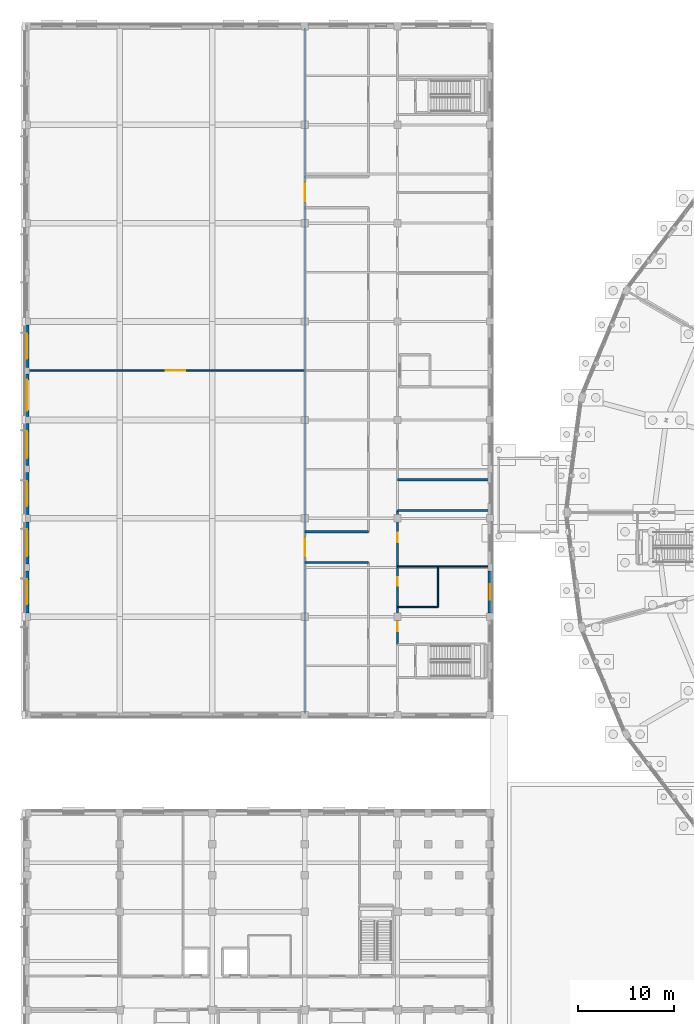
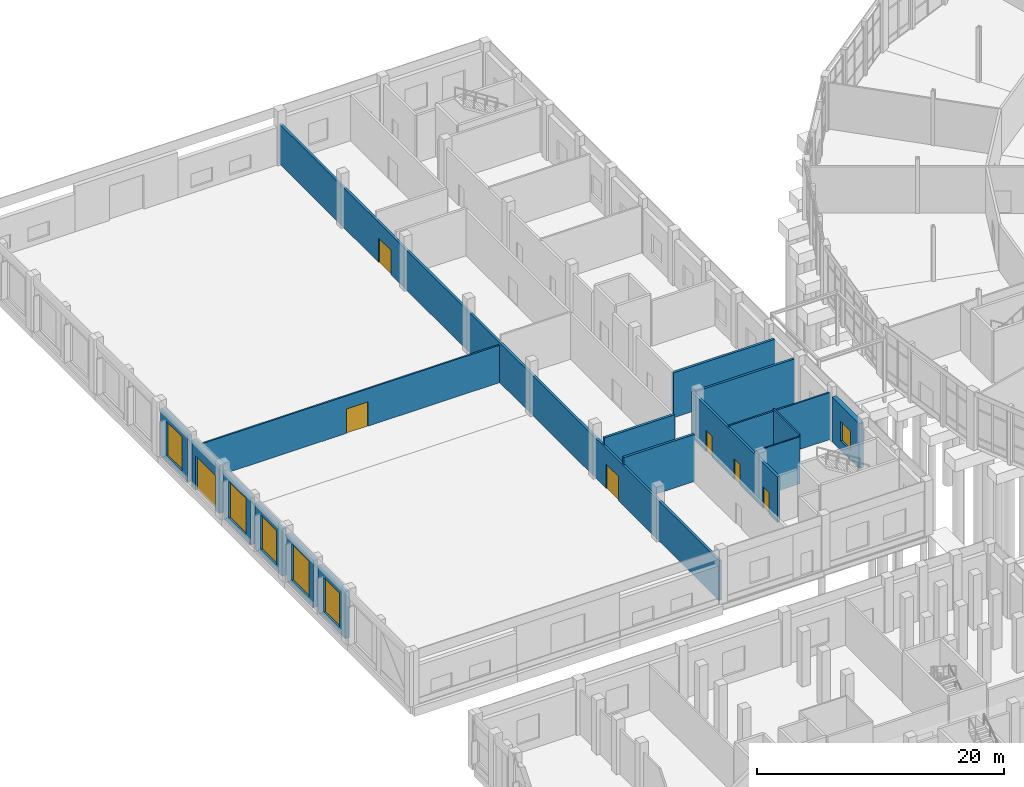
# One storey, part 105 of 137: 17 walls, 7 doors, 6 windows, 13 openings.
"""IFC4 building model written with IfcOpenShell, lengths in metres."""

from ifc_helpers import new_model, si_unit, direction, frame, frame_2d, origin, place, context, subcontext, project, spatial, rectangle, extrude, material, layer, layer_set, type_object, element, fill, save


model = new_model("IFC4")

# Units and contexts
model_context = context("Model", 3, precision=1e-05, world=origin(), true_north=direction((0.0, 1.0)))
body_context = subcontext(model_context, "Body", "Model", "MODEL_VIEW")
ifc_project = project(units=[si_unit("LENGTHUNIT", "METRE"), si_unit("AREAUNIT", "SQUARE_METRE"), si_unit("VOLUMEUNIT", "CUBIC_METRE"), si_unit("PLANEANGLEUNIT", "RADIAN"), si_unit("MASSUNIT", "GRAM", prefix="KILO")], contexts=[model_context])

# Site, building, storey
site_placement = place(None, origin())
site = spatial("IfcSite", under=ifc_project, at=site_placement, CompositionType="ELEMENT")
building_placement = place(site_placement, origin())
building = spatial("IfcBuilding", under=site, at=building_placement, Name="Vondelvale Polytechnic", CompositionType="ELEMENT")
storey_placement = place(building_placement, origin())
storey = spatial("IfcBuildingStorey", under=building, at=storey_placement, Name="L00", CompositionType="ELEMENT", Elevation=0.0)

# Wall, openings, doors
ifc_material_1 = material(Name="Fire-rated double-layer plasterboard stud partition")
ifc_layer_1 = layer(ifc_material_1, 0.219970703125)
ifc_layer_set_1 = layer_set([ifc_layer_1], Name="WL-CORR-220")
wall_type_1 = type_object("IfcWallType", Name="WL-CORR-220", PredefinedType="PARTITIONING", material=ifc_layer_set_1)
wall_1_placement = place(storey_placement, frame((28.800048828125, 51.14990234375, 0.0), z_axis=(0.0, 0.0, 1.0), x_axis=(0.0, 1.0, 0.0)))
wall_1 = element("IfcWall", 1, at=wall_1_placement, inside=storey, type_object=wall_type_1, Name="L00 interior acoustic partition", PredefinedType="PARTITIONING", context=body_context, shape_type="SweptSolid", body=[
    extrude(rectangle(XDim=71.10009765625, YDim=0.219970703125, at=frame_2d((35.550048828125, 0.0))), origin(), (0.0, 0.0, 1.0), 3.93994140625),
])
opening_1_placement = place(wall_1_placement, frame((16.25, 0.0, 0.0)))
opening_1 = element("IfcOpeningElement", 2, at=opening_1_placement, cuts=wall_1, Name="Opening ID-0089", PredefinedType="OPENING", context=body_context, shape_type="SweptSolid", body=[
    extrude(rectangle(XDim=2.0, YDim=2.39990234375, at=frame_2d((1.0, 1.199951171875))), frame((0.0, 0.119873046875, 0.0), z_axis=(0.0, -1.0, 0.0), x_axis=(1.0, 0.0, 0.0)), (0.0, 0.0, 1.0), 0.239990234375),
])
opening_2_placement = place(wall_1_placement, frame((53.050048828125, 0.0, 0.0)))
opening_2 = element("IfcOpeningElement", 3, at=opening_2_placement, cuts=wall_1, Name="Opening ID-0090", PredefinedType="OPENING", context=body_context, shape_type="SweptSolid", body=[
    extrude(rectangle(XDim=2.0, YDim=2.39990234375, at=frame_2d((1.0, 1.199951171875))), frame((0.0, 0.119873046875, 0.0), z_axis=(0.0, -1.0, 0.0), x_axis=(1.0, 0.0, 0.0)), (0.0, 0.0, 1.0), 0.239990234375),
])
ifc_material_2 = material(Name="Brushed architectural stainless and zinc-coated metal")
door_type_1 = type_object("IfcDoorType", Name="DR-WORK-2000x2400", OperationType="DOUBLE_DOOR_SINGLE_SWING", PredefinedType="DOOR", material=ifc_material_2)
door_1_placement = place(opening_1_placement, origin())
door_1 = element("IfcDoor", 4, at=door_1_placement, inside=storey, type_object=door_type_1, Name="L00 interior room door ID-0089", OperationType="DOUBLE_DOOR_SINGLE_SWING", OverallHeight=2.39990234375, OverallWidth=2.0, PredefinedType="DOOR", context=body_context, shape_type="SweptSolid", body=[
    extrude(rectangle(XDim=2.0, YDim=2.39990234375, at=frame_2d((1.0, 1.199951171875))), frame((0.0, 0.02490234375, 0.0), z_axis=(0.0, -1.0, 0.0), x_axis=(1.0, 0.0, 0.0)), (0.0, 0.0, 1.0), 0.050048828125),
])
fill(opening_1, door_1)
door_2_placement = place(opening_2_placement, origin())
door_2 = element("IfcDoor", 5, at=door_2_placement, inside=storey, type_object=door_type_1, Name="L00 interior room door ID-0090", OperationType="DOUBLE_DOOR_SINGLE_SWING", OverallHeight=2.39990234375, OverallWidth=2.0, PredefinedType="DOOR", context=body_context, shape_type="SweptSolid", body=[
    extrude(rectangle(XDim=2.0, YDim=2.39990234375, at=frame_2d((1.0, 1.199951171875))), frame((0.0, 0.02490234375, 0.0), z_axis=(0.0, -1.0, 0.0), x_axis=(1.0, 0.0, 0.0)), (0.0, 0.0, 1.0), 0.050048828125),
])
fill(opening_2, door_2)

# Walls
for number, where, z_axis, x_axis, name in (
    (6, (28.800048828125, 66.800048828125, 0.0), (0.0, 0.0, 1.0), (1.0, 0.0, 0.0), "L00 interior acoustic partition"),
    (7, (28.800048828125, 70.0, 0.0), (0.0, 0.0, 1.0), (1.0, 0.0, 0.0), "L00 interior acoustic partition"),
):
    element("IfcWall", number, at=place(storey_placement, frame(where, z_axis=z_axis, x_axis=x_axis)), inside=storey, type_object=wall_type_1, Name=name, PredefinedType="PARTITIONING", context=body_context, shape_type="SweptSolid", body=[
        extrude(rectangle(XDim=6.599853515625, YDim=0.219970703125, at=frame_2d((3.2998046875, 0.0))), origin(), (0.0, 0.0, 1.0), 4.64306640625),
    ])

# Wall, openings, doors
wall_2_placement = place(storey_placement, frame((38.39990234375, 58.324951171875, 0.0), z_axis=(0.0, 0.0, 1.0), x_axis=(0.0, 1.0, 0.0)))
wall_2 = element("IfcWall", 8, at=wall_2_placement, inside=storey, type_object=wall_type_1, Name="L00 interior acoustic partition", PredefinedType="PARTITIONING", context=body_context, shape_type="SweptSolid", body=[
    extrude(rectangle(XDim=13.875, YDim=0.219970703125, at=frame_2d((6.9375, 0.0))), origin(), (0.0, 0.0, 1.0), 4.492919921875),
])
opening_3_placement = place(wall_2_placement, frame((1.35009765625, 0.0, 0.0)))
opening_3 = element("IfcOpeningElement", 9, at=opening_3_placement, cuts=wall_2, Name="Opening ID-0096", PredefinedType="OPENING", context=body_context, shape_type="SweptSolid", body=[
    extrude(rectangle(XDim=0.949951171875, YDim=2.10009765625, at=frame_2d((0.47509765625, 1.050048828125))), frame((0.0, 0.119873046875, 0.0), z_axis=(0.0, -1.0, 0.0), x_axis=(1.0, 0.0, 0.0)), (0.0, 0.0, 1.0), 0.239990234375),
])
opening_4_placement = place(wall_2_placement, frame((6.080078125, 0.0, 0.0)))
opening_4 = element("IfcOpeningElement", 10, at=opening_4_placement, cuts=wall_2, Name="Opening ID-0097", PredefinedType="OPENING", context=body_context, shape_type="SweptSolid", body=[
    extrude(rectangle(XDim=0.89990234375, YDim=2.050048828125, at=frame_2d((0.449951171875, 1.02490234375))), frame((0.0, 0.119873046875, 0.0), z_axis=(0.0, -1.0, 0.0), x_axis=(1.0, 0.0, 0.0)), (0.0, 0.0, 1.0), 0.239990234375),
])
opening_5_placement = place(wall_2_placement, frame((10.60009765625, 0.0, 0.0)))
opening_5 = element("IfcOpeningElement", 11, at=opening_5_placement, cuts=wall_2, Name="Opening ID-0098", PredefinedType="OPENING", context=body_context, shape_type="SweptSolid", body=[
    extrude(rectangle(XDim=0.949951171875, YDim=2.10009765625, at=frame_2d((0.47509765625, 1.050048828125))), frame((0.0, 0.119873046875, 0.0), z_axis=(0.0, -1.0, 0.0), x_axis=(1.0, 0.0, 0.0)), (0.0, 0.0, 1.0), 0.239990234375),
])
ifc_material_3 = material(Name="Fire-rated solid Tasmanian oak joinery")
door_type_2 = type_object("IfcDoorType", Name="DR-INT-0950x2100", OperationType="SINGLE_SWING_LEFT", PredefinedType="DOOR", material=ifc_material_3)
door_3_placement = place(opening_3_placement, origin())
door_3 = element("IfcDoor", 12, at=door_3_placement, inside=storey, type_object=door_type_2, Name="L00 interior room door ID-0096", OperationType="SINGLE_SWING_RIGHT", OverallHeight=2.10009765625, OverallWidth=0.949951171875, PredefinedType="DOOR", context=body_context, shape_type="SweptSolid", body=[
    extrude(rectangle(XDim=0.949951171875, YDim=2.10009765625, at=frame_2d((0.47509765625, 1.050048828125))), frame((0.0, 0.02490234375, 0.0), z_axis=(0.0, -1.0, 0.0), x_axis=(1.0, 0.0, 0.0)), (0.0, 0.0, 1.0), 0.050048828125),
])
fill(opening_3, door_3)
door_4_placement = place(opening_5_placement, origin())
door_4 = element("IfcDoor", 13, at=door_4_placement, inside=storey, type_object=door_type_2, Name="L00 interior room door ID-0098", OperationType="SINGLE_SWING_RIGHT", OverallHeight=2.10009765625, OverallWidth=0.949951171875, PredefinedType="DOOR", context=body_context, shape_type="SweptSolid", body=[
    extrude(rectangle(XDim=0.949951171875, YDim=2.10009765625, at=frame_2d((0.47509765625, 1.050048828125))), frame((0.0, 0.02490234375, 0.0), z_axis=(0.0, -1.0, 0.0), x_axis=(1.0, 0.0, 0.0)), (0.0, 0.0, 1.0), 0.050048828125),
])
fill(opening_5, door_4)
door_type_3 = type_object("IfcDoorType", Name="DR-WC-0900x2050", OperationType="SINGLE_SWING_RIGHT", PredefinedType="DOOR", material=ifc_material_3)
door_5_placement = place(opening_4_placement, origin())
door_5 = element("IfcDoor", 14, at=door_5_placement, inside=storey, type_object=door_type_3, Name="L00 interior room door ID-0097", OperationType="SINGLE_SWING_LEFT", OverallHeight=2.050048828125, OverallWidth=0.89990234375, PredefinedType="DOOR", context=body_context, shape_type="SweptSolid", body=[
    extrude(rectangle(XDim=0.89990234375, YDim=2.050048828125, at=frame_2d((0.449951171875, 1.02490234375))), frame((0.0, 0.02490234375, 0.0), z_axis=(0.0, -1.0, 0.0), x_axis=(1.0, 0.0, 0.0)), (0.0, 0.0, 1.0), 0.050048828125),
])
fill(opening_4, door_5)

# Walls
for number, where, z_axis, x_axis, name in (
    (15, (38.39990234375, 72.199951171875, 0.0), (0.0, 0.0, 1.0), (1.0, 0.0, 0.0), "L00 interior acoustic partition"),
    (16, (38.39990234375, 75.39990234375, 0.0), (0.0, 0.0, 1.0), (1.0, 0.0, 0.0), "L00 interior acoustic partition"),
):
    element("IfcWall", number, at=place(storey_placement, frame(where, z_axis=z_axis, x_axis=x_axis)), inside=storey, type_object=wall_type_1, Name=name, PredefinedType="PARTITIONING", context=body_context, shape_type="SweptSolid", body=[
        extrude(rectangle(XDim=9.4501953125, YDim=0.219970703125, at=frame_2d((4.72509765625, 0.0))), origin(), (0.0, 0.0, 1.0), 4.449951171875),
    ])
ifc_layer_2 = layer(ifc_material_1, 0.1201171875)
ifc_layer_set_2 = layer_set([ifc_layer_2], Name="WL-INT-120")
wall_type_2 = type_object("IfcWallType", Name="WL-INT-120", PredefinedType="PARTITIONING", material=ifc_layer_set_2)
wall_3_placement = place(storey_placement, frame((38.39990234375, 62.199951171875, 0.0), z_axis=(0.0, 0.0, 1.0), x_axis=(1.0, 0.0, 0.0)))
element("IfcWall", 17, at=wall_3_placement, inside=storey, type_object=wall_type_2, Name="L00 interior acoustic partition", PredefinedType="PARTITIONING", context=body_context, shape_type="SweptSolid", body=[
    extrude(rectangle(XDim=4.2001953125, YDim=0.1201171875, at=frame_2d((2.10009765625, 0.0))), origin(), (0.0, 0.0, 1.0), 4.64306640625),
])
wall_4_placement = place(storey_placement, frame((42.60009765625, 62.199951171875, 0.0), z_axis=(0.0, 0.0, 1.0), x_axis=(0.0, 1.0, 0.0)))
element("IfcWall", 18, at=wall_4_placement, inside=storey, type_object=wall_type_2, Name="L00 interior acoustic partition", PredefinedType="PARTITIONING", context=body_context, shape_type="SweptSolid", body=[
    extrude(rectangle(XDim=4.199951171875, YDim=0.1201171875, at=frame_2d((2.10009765625, 0.0))), origin(), (0.0, 0.0, 1.0), 4.847900390625),
])

# Wall, opening, door
ifc_layer_3 = layer(ifc_material_1, 0.14990234375)
ifc_layer_set_3 = layer_set([ifc_layer_3], Name="WL-INT-150")
wall_type_3 = type_object("IfcWallType", Name="WL-INT-150", PredefinedType="PARTITIONING", material=ifc_layer_set_3)
wall_5_placement = place(storey_placement, frame((0.14990234375, 86.699951171875, 0.0), z_axis=(0.0, 0.0, 1.0), x_axis=(1.0, 0.0, 0.0)))
wall_5 = element("IfcWall", 19, at=wall_5_placement, inside=storey, type_object=wall_type_3, Name="L00 interior acoustic partition", PredefinedType="PARTITIONING", context=body_context, shape_type="SweptSolid", body=[
    extrude(rectangle(XDim=28.650146484375, YDim=0.14990234375, at=frame_2d((14.3251953125, 0.0))), origin(), (0.0, 0.0, 1.0), 3.699951171875),
])
opening_6_placement = place(wall_5_placement, frame((14.25, 0.0, 0.0)))
opening_6 = element("IfcOpeningElement", 20, at=opening_6_placement, cuts=wall_5, Name="Opening ID-0088", PredefinedType="OPENING", context=body_context, shape_type="SweptSolid", body=[
    extrude(rectangle(XDim=2.0, YDim=2.39990234375, at=frame_2d((1.0, 1.199951171875))), frame((0.0, 0.0849609375, 0.0), z_axis=(0.0, -1.0, 0.0), x_axis=(1.0, 0.0, 0.0)), (0.0, 0.0, 1.0), 0.169921875),
])
door_6_placement = place(opening_6_placement, origin())
door_6 = element("IfcDoor", 21, at=door_6_placement, inside=storey, type_object=door_type_1, Name="L00 interior room door ID-0088", OperationType="DOUBLE_DOOR_SINGLE_SWING", OverallHeight=2.39990234375, OverallWidth=2.0, PredefinedType="DOOR", context=body_context, shape_type="SweptSolid", body=[
    extrude(rectangle(XDim=2.0, YDim=2.39990234375, at=frame_2d((1.0, 1.199951171875))), frame((0.0, 0.02490234375, 0.0), z_axis=(0.0, -1.0, 0.0), x_axis=(1.0, 0.0, 0.0)), (0.0, 0.0, 1.0), 0.050048828125),
])
fill(opening_6, door_6)

# Wall
wall_6_placement = place(storey_placement, frame((38.39990234375, 66.39990234375, 0.0), z_axis=(0.0, 0.0, 1.0), x_axis=(1.0, 0.0, 0.0)))
element("IfcWall", 22, at=wall_6_placement, inside=storey, type_object=wall_type_3, Name="L00 interior acoustic partition", PredefinedType="PARTITIONING", context=body_context, shape_type="SweptSolid", body=[
    extrude(rectangle(XDim=9.4501953125, YDim=0.14990234375, at=frame_2d((4.72509765625, 0.0))), origin(), (0.0, 0.0, 1.0), 4.64306640625),
])

# Wall, opening, window
ifc_material_4 = material(Name="Malmsbury bluestone ashlar stone masonry", Category="masonry")
ifc_layer_4 = layer(ifc_material_4, 0.39990234375)
ifc_layer_set_4 = layer_set([ifc_layer_4], Name="WL-PLINTH-400")
wall_type_4 = type_object("IfcWallType", Name="WL-PLINTH-400", PredefinedType="SOLIDWALL", material=ifc_layer_set_4)
wall_7_placement = place(storey_placement, frame((0.0, 61.575927734375, 0.0), z_axis=(0.0, 0.0, 1.0), x_axis=(0.0, 1.0, 0.0)))
wall_7 = element("IfcWall", 23, at=wall_7_placement, inside=storey, type_object=wall_type_4, Name="L00 exterior masonry facade wall", PredefinedType="SOLIDWALL", context=body_context, shape_type="SweptSolid", body=[
    extrude(rectangle(XDim=4.373046875, YDim=0.39990234375, at=frame_2d((2.1865234375, 0.0))), origin(), (0.0, 0.0, 1.0), 4.64990234375),
])
opening_7_placement = place(wall_7_placement, frame((0.886474609375, 0.0, 0.550048828125)))
opening_7 = element("IfcOpeningElement", 24, at=opening_7_placement, cuts=wall_7, Name="Opening WN-0002", PredefinedType="OPENING", context=body_context, shape_type="SweptSolid", body=[
    extrude(rectangle(XDim=2.60009765625, YDim=3.39990234375, at=frame_2d((1.300048828125, 1.699951171875))), frame((0.0, 0.2099609375, 0.0), z_axis=(0.0, -1.0, 0.0), x_axis=(1.0, 0.0, 0.0)), (0.0, 0.0, 1.0), 0.419921875),
])
ifc_material_5 = material(Name="Double-glazed low-E insulated architectural glass", Category="glass")
window_type_1 = type_object("IfcWindowType", Name="WN-WORK-2600x3400", PartitioningType="SINGLE_PANEL", PredefinedType="WINDOW", material=ifc_material_5)
window_1_placement = place(opening_7_placement, origin())
window_1 = element("IfcWindow", 25, at=window_1_placement, inside=storey, type_object=window_type_1, Name="L00 double-glazed architectural window WN-0002", OverallHeight=3.39990234375, OverallWidth=2.60009765625, PartitioningType="SINGLE_PANEL", PredefinedType="WINDOW", context=body_context, shape_type="SweptSolid", body=[
    extrude(rectangle(XDim=2.60009765625, YDim=3.39990234375, at=frame_2d((1.300048828125, 1.699951171875))), frame((0.0, 0.030029296875, 0.0), z_axis=(0.0, -1.0, 0.0), x_axis=(1.0, 0.0, 0.0)), (0.0, 0.0, 1.0), 0.06005859375),
])
fill(opening_7, window_1)

wall_8_placement = place(storey_placement, frame((0.0, 66.65087890625, 0.0), z_axis=(0.0, 0.0, 1.0), x_axis=(0.0, 1.0, 0.0)))
wall_8 = element("IfcWall", 26, at=wall_8_placement, inside=storey, type_object=wall_type_4, Name="L00 exterior masonry facade wall", PredefinedType="SOLIDWALL", context=body_context, shape_type="SweptSolid", body=[
    extrude(rectangle(XDim=4.373046875, YDim=0.39990234375, at=frame_2d((2.1865234375, 0.0))), origin(), (0.0, 0.0, 1.0), 4.64990234375),
])
opening_8_placement = place(wall_8_placement, frame((0.78662109375, 0.0, 0.550048828125)))
opening_8 = element("IfcOpeningElement", 27, at=opening_8_placement, cuts=wall_8, Name="Opening WN-0003", PredefinedType="OPENING", context=body_context, shape_type="SweptSolid", body=[
    extrude(rectangle(XDim=2.800048828125, YDim=3.60009765625, at=frame_2d((1.39990234375, 1.800048828125))), frame((0.0, 0.2099609375, 0.0), z_axis=(0.0, -1.0, 0.0), x_axis=(1.0, 0.0, 0.0)), (0.0, 0.0, 1.0), 0.419921875),
])
window_type_2 = type_object("IfcWindowType", Name="WN-WORK-2800x3600", PartitioningType="SINGLE_PANEL", PredefinedType="WINDOW", material=ifc_material_5)
window_2_placement = place(opening_8_placement, origin())
window_2 = element("IfcWindow", 28, at=window_2_placement, inside=storey, type_object=window_type_2, Name="L00 double-glazed architectural window WN-0003", OverallHeight=3.60009765625, OverallWidth=2.800048828125, PartitioningType="SINGLE_PANEL", PredefinedType="WINDOW", context=body_context, shape_type="SweptSolid", body=[
    extrude(rectangle(XDim=2.800048828125, YDim=3.60009765625, at=frame_2d((1.39990234375, 1.800048828125))), frame((0.0, 0.030029296875, 0.0), z_axis=(0.0, -1.0, 0.0), x_axis=(1.0, 0.0, 0.0)), (0.0, 0.0, 1.0), 0.06005859375),
])
fill(opening_8, window_2)

wall_9_placement = place(storey_placement, frame((0.0, 71.77587890625, 0.0), z_axis=(0.0, 0.0, 1.0), x_axis=(0.0, 1.0, 0.0)))
wall_9 = element("IfcWall", 29, at=wall_9_placement, inside=storey, type_object=wall_type_4, Name="L00 exterior masonry facade wall", PredefinedType="SOLIDWALL", context=body_context, shape_type="SweptSolid", body=[
    extrude(rectangle(XDim=4.373046875, YDim=0.39990234375, at=frame_2d((2.1865234375, 0.0))), origin(), (0.0, 0.0, 1.0), 4.64990234375),
])
opening_9_placement = place(wall_9_placement, frame((0.886474609375, 0.0, 0.550048828125)))
opening_9 = element("IfcOpeningElement", 30, at=opening_9_placement, cuts=wall_9, Name="Opening WN-0004", PredefinedType="OPENING", context=body_context, shape_type="SweptSolid", body=[
    extrude(rectangle(XDim=2.60009765625, YDim=3.39990234375, at=frame_2d((1.300048828125, 1.699951171875))), frame((0.0, 0.2099609375, 0.0), z_axis=(0.0, -1.0, 0.0), x_axis=(1.0, 0.0, 0.0)), (0.0, 0.0, 1.0), 0.419921875),
])
window_3_placement = place(opening_9_placement, origin())
window_3 = element("IfcWindow", 31, at=window_3_placement, inside=storey, type_object=window_type_1, Name="L00 double-glazed architectural window WN-0004", OverallHeight=3.39990234375, OverallWidth=2.60009765625, PartitioningType="SINGLE_PANEL", PredefinedType="WINDOW", context=body_context, shape_type="SweptSolid", body=[
    extrude(rectangle(XDim=2.60009765625, YDim=3.39990234375, at=frame_2d((1.300048828125, 1.699951171875))), frame((0.0, 0.030029296875, 0.0), z_axis=(0.0, -1.0, 0.0), x_axis=(1.0, 0.0, 0.0)), (0.0, 0.0, 1.0), 0.06005859375),
])
fill(opening_9, window_3)

wall_10_placement = place(storey_placement, frame((0.0, 76.85107421875, 0.0), z_axis=(0.0, 0.0, 1.0), x_axis=(0.0, 1.0, 0.0)))
wall_10 = element("IfcWall", 32, at=wall_10_placement, inside=storey, type_object=wall_type_4, Name="L00 exterior masonry facade wall", PredefinedType="SOLIDWALL", context=body_context, shape_type="SweptSolid", body=[
    extrude(rectangle(XDim=4.373046875, YDim=0.39990234375, at=frame_2d((2.1865234375, 0.0))), origin(), (0.0, 0.0, 1.0), 4.64990234375),
])
opening_10_placement = place(wall_10_placement, frame((0.78662109375, 0.0, 0.550048828125)))
opening_10 = element("IfcOpeningElement", 33, at=opening_10_placement, cuts=wall_10, Name="Opening WN-0005", PredefinedType="OPENING", context=body_context, shape_type="SweptSolid", body=[
    extrude(rectangle(XDim=2.800048828125, YDim=3.60009765625, at=frame_2d((1.39990234375, 1.800048828125))), frame((0.0, 0.2099609375, 0.0), z_axis=(0.0, -1.0, 0.0), x_axis=(1.0, 0.0, 0.0)), (0.0, 0.0, 1.0), 0.419921875),
])
window_4_placement = place(opening_10_placement, origin())
window_4 = element("IfcWindow", 34, at=window_4_placement, inside=storey, type_object=window_type_2, Name="L00 double-glazed architectural window WN-0005", OverallHeight=3.60009765625, OverallWidth=2.800048828125, PartitioningType="SINGLE_PANEL", PredefinedType="WINDOW", context=body_context, shape_type="SweptSolid", body=[
    extrude(rectangle(XDim=2.800048828125, YDim=3.60009765625, at=frame_2d((1.39990234375, 1.800048828125))), frame((0.0, 0.030029296875, 0.0), z_axis=(0.0, -1.0, 0.0), x_axis=(1.0, 0.0, 0.0)), (0.0, 0.0, 1.0), 0.06005859375),
])
fill(opening_10, window_4)

# Wall, opening, door
wall_11_placement = place(storey_placement, frame((0.0, 81.97607421875, 0.0), z_axis=(0.0, 0.0, 1.0), x_axis=(0.0, 1.0, 0.0)))
wall_11 = element("IfcWall", 35, at=wall_11_placement, inside=storey, type_object=wall_type_4, Name="L00 exterior masonry facade wall", PredefinedType="SOLIDWALL", context=body_context, shape_type="SweptSolid", body=[
    extrude(rectangle(XDim=4.373046875, YDim=0.39990234375, at=frame_2d((2.1865234375, 0.0))), origin(), (0.0, 0.0, 1.0), 4.64990234375),
])
opening_11_placement = place(wall_11_placement, frame((0.58642578125, 0.0, 0.0)))
opening_11 = element("IfcOpeningElement", 36, at=opening_11_placement, cuts=wall_11, Name="Opening ED-001", PredefinedType="OPENING", context=body_context, shape_type="SweptSolid", body=[
    extrude(rectangle(XDim=3.199951171875, YDim=3.39990234375, at=frame_2d((1.60009765625, 1.699951171875))), frame((0.0, 0.2099609375, 0.0), z_axis=(0.0, -1.0, 0.0), x_axis=(1.0, 0.0, 0.0)), (0.0, 0.0, 1.0), 0.419921875),
])
door_type_4 = type_object("IfcDoorType", Name="DR-LOAD-3200x3400", OperationType="ROLLINGUP", PredefinedType="GATE", material=ifc_material_2)
door_7_placement = place(opening_11_placement, origin())
door_7 = element("IfcDoor", 37, at=door_7_placement, inside=storey, type_object=door_type_4, Name="L00 exterior entrance/exit door ED-001", OperationType="ROLLINGUP", OverallHeight=3.39990234375, OverallWidth=3.199951171875, PredefinedType="GATE", context=body_context, shape_type="SweptSolid", body=[
    extrude(rectangle(XDim=3.199951171875, YDim=3.39990234375, at=frame_2d((1.60009765625, 1.699951171875))), frame((0.0, 0.02490234375, 0.0), z_axis=(0.0, -1.0, 0.0), x_axis=(1.0, 0.0, 0.0)), (0.0, 0.0, 1.0), 0.050048828125),
])
fill(opening_11, door_7)

# Wall, opening, window
wall_12_placement = place(storey_placement, frame((0.0, 87.051025390625, 0.0), z_axis=(0.0, 0.0, 1.0), x_axis=(0.0, 1.0, 0.0)))
wall_12 = element("IfcWall", 38, at=wall_12_placement, inside=storey, type_object=wall_type_4, Name="L00 exterior masonry facade wall", PredefinedType="SOLIDWALL", context=body_context, shape_type="SweptSolid", body=[
    extrude(rectangle(XDim=4.373046875, YDim=0.39990234375, at=frame_2d((2.1865234375, 0.0))), origin(), (0.0, 0.0, 1.0), 4.64990234375),
])
opening_12_placement = place(wall_12_placement, frame((0.886474609375, 0.0, 0.550048828125)))
opening_12 = element("IfcOpeningElement", 39, at=opening_12_placement, cuts=wall_12, Name="Opening WN-0006", PredefinedType="OPENING", context=body_context, shape_type="SweptSolid", body=[
    extrude(rectangle(XDim=2.60009765625, YDim=3.39990234375, at=frame_2d((1.300048828125, 1.699951171875))), frame((0.0, 0.2099609375, 0.0), z_axis=(0.0, -1.0, 0.0), x_axis=(1.0, 0.0, 0.0)), (0.0, 0.0, 1.0), 0.419921875),
])
window_5_placement = place(opening_12_placement, origin())
window_5 = element("IfcWindow", 40, at=window_5_placement, inside=storey, type_object=window_type_1, Name="L00 double-glazed architectural window WN-0006", OverallHeight=3.39990234375, OverallWidth=2.60009765625, PartitioningType="SINGLE_PANEL", PredefinedType="WINDOW", context=body_context, shape_type="SweptSolid", body=[
    extrude(rectangle(XDim=2.60009765625, YDim=3.39990234375, at=frame_2d((1.300048828125, 1.699951171875))), frame((0.0, 0.030029296875, 0.0), z_axis=(0.0, -1.0, 0.0), x_axis=(1.0, 0.0, 0.0)), (0.0, 0.0, 1.0), 0.06005859375),
])
fill(opening_12, window_5)

wall_13_placement = place(storey_placement, frame((48.0, 65.948974609375, 0.0), z_axis=(0.0, 0.0, 1.0), x_axis=(0.0, -1.0, 0.0)))
wall_13 = element("IfcWall", 41, at=wall_13_placement, inside=storey, type_object=wall_type_4, Name="L00 exterior masonry facade wall", PredefinedType="SOLIDWALL", context=body_context, shape_type="SweptSolid", body=[
    extrude(rectangle(XDim=4.373046875, YDim=0.39990234375, at=frame_2d((2.1865234375, 0.0))), origin(), (0.0, 0.0, 1.0), 4.449951171875),
])
opening_13_placement = place(wall_13_placement, frame((1.386474609375, 0.0, 0.949951171875)))
opening_13 = element("IfcOpeningElement", 42, at=opening_13_placement, cuts=wall_13, Name="Opening WN-0014", PredefinedType="OPENING", context=body_context, shape_type="SweptSolid", body=[
    extrude(rectangle(XDim=1.60009765625, YDim=1.89990234375, at=frame_2d((0.800048828125, 0.949951171875))), frame((0.0, 0.2099609375, 0.0), z_axis=(0.0, -1.0, 0.0), x_axis=(1.0, 0.0, 0.0)), (0.0, 0.0, 1.0), 0.419921875),
])
window_type_3 = type_object("IfcWindowType", Name="WN-SEM-1600x1900", PartitioningType="SINGLE_PANEL", PredefinedType="WINDOW", material=ifc_material_5)
window_6_placement = place(opening_13_placement, origin())
window_6 = element("IfcWindow", 43, at=window_6_placement, inside=storey, type_object=window_type_3, Name="L00 double-glazed architectural window WN-0014", OverallHeight=1.89990234375, OverallWidth=1.60009765625, PartitioningType="SINGLE_PANEL", PredefinedType="WINDOW", context=body_context, shape_type="SweptSolid", body=[
    extrude(rectangle(XDim=1.60009765625, YDim=1.89990234375, at=frame_2d((0.800048828125, 0.949951171875))), frame((0.0, 0.030029296875, 0.0), z_axis=(0.0, -1.0, 0.0), x_axis=(1.0, 0.0, 0.0)), (0.0, 0.0, 1.0), 0.06005859375),
])
fill(opening_13, window_6)

save(model, "model.ifc")
